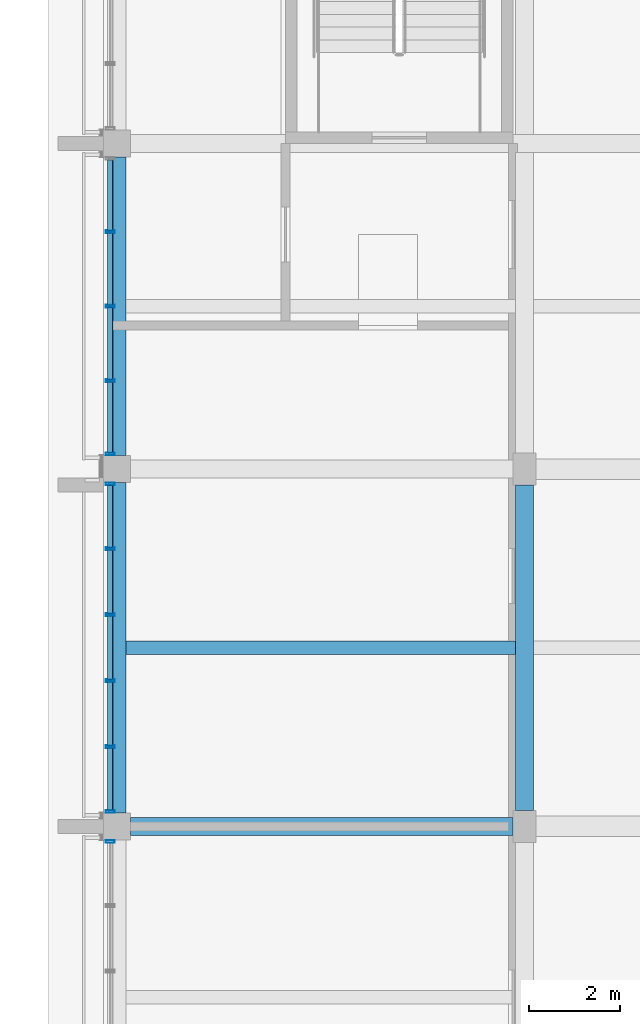
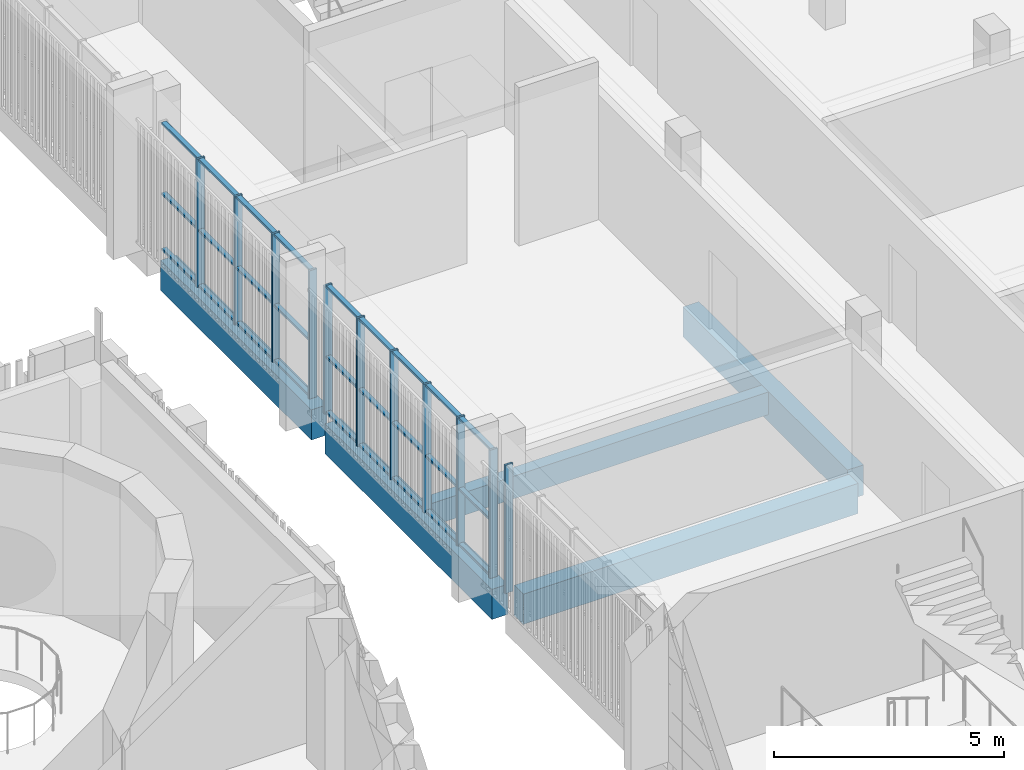
# One storey, part 21 of 92: 38 members, 5 beams, 3 elements without a shape of their own.
"""IFC4 building model written with IfcOpenShell, lengths in metres."""

from ifc_helpers import new_model, si_unit, direction, frame, origin, origin_2d, place, context, subcontext, project, spatial, rectangle, hollow_rectangle, extrude, material, material_profile, profile_set, type_object, element, aggregate, save


model = new_model("IFC4")

# Units and contexts
model_context = context("Model", 3, precision=1e-05, world=origin(), true_north=direction((0.0, 1.0)))
body_context = subcontext(model_context, "Body", "Model", "MODEL_VIEW")
ifc_project = project(units=[si_unit("LENGTHUNIT", "METRE"), si_unit("AREAUNIT", "SQUARE_METRE"), si_unit("VOLUMEUNIT", "CUBIC_METRE"), si_unit("PLANEANGLEUNIT", "RADIAN"), si_unit("MASSUNIT", "GRAM", prefix="KILO")], contexts=[model_context])

# Site, building, storey
site_placement = place(None, origin())
site = spatial("IfcSite", under=ifc_project, at=site_placement, CompositionType="ELEMENT")
building_placement = place(site_placement, origin())
building = spatial("IfcBuilding", under=site, at=building_placement, Name="Sun Court Science Centre", CompositionType="ELEMENT")
storey_placement = place(building_placement, frame((0.0, 0.0, 11.25)))
storey = spatial("IfcBuildingStorey", under=building, at=storey_placement, Name="L02", CompositionType="ELEMENT", Elevation=11.25)

# Curtain wall, member
ifc_material_1 = material(Name="Aluminium EN AW-6063 T6", Category="aluminium")
curtain_wall_type = type_object("IfcCurtainWallType", Name="Laboratory tall bay curtain wall 1500", PredefinedType="NOTDEFINED", material=ifc_material_1)
curtain_wall_1_placement = place(storey_placement, origin())
curtain_wall_1 = element("IfcCurtainWall", 1, at=curtain_wall_1_placement, inside=storey, type_object=curtain_wall_type, Name="Curtain wall V4 W L02 01", PredefinedType="NOTDEFINED")
ifc_material_2 = material(Name="Aluminium EN AW-6063 T6", Category="aluminium")
ifc_material_profile_1 = material_profile(ifc_material_2, hollow_rectangle(XDim=0.06005859375, YDim=0.199951171875, WallThickness=0.0048828125, InnerFilletRadius=0.0048828125, OuterFilletRadius=0.007568359375, at=origin_2d()), Name="AL 60x200x5")
ifc_profile_set_1 = profile_set([ifc_material_profile_1], Name="Aluminium EN AW-6063 T6")
member_type_1 = type_object("IfcMemberType", Name="Curtain wall mullion AL 60x200", PredefinedType="MULLION", material=ifc_profile_set_1)
member_1_placement = place(storey_placement, frame((78.14990234375, 20.669921875, 0.0), z_axis=(0.0, 0.0, 1.0), x_axis=(0.0, 1.0, 0.0)))
member_1 = element("IfcMember", 2, at=member_1_placement, type_object=member_type_1, Name="CW2-19 mullion 6", PredefinedType="MULLION", context=body_context, shape_type="SweptSolid", body=[
    extrude(hollow_rectangle(XDim=0.06005859375, YDim=0.199951171875, WallThickness=0.0048828125, InnerFilletRadius=0.0048828125, OuterFilletRadius=0.007568359375, at=origin_2d()), origin(), (0.0, 0.0, 1.0), 3.39990234375),
])
aggregate(curtain_wall_1, [member_1])

# Curtain wall, members
curtain_wall_2_placement = place(storey_placement, origin())
curtain_wall_2 = element("IfcCurtainWall", 3, at=curtain_wall_2_placement, inside=storey, type_object=curtain_wall_type, Name="Curtain wall V4 W L02 02", PredefinedType="NOTDEFINED")
member_2_placement = place(storey_placement, frame((78.14990234375, 21.330078125, 0.0), z_axis=(0.0, 0.0, 1.0), x_axis=(0.0, 1.0, 0.0)))
member_2 = element("IfcMember", 4, at=member_2_placement, type_object=member_type_1, Name="CW2-20 mullion 1", PredefinedType="MULLION", context=body_context, shape_type="SweptSolid", body=[
    extrude(hollow_rectangle(XDim=0.06005859375, YDim=0.199951171875, WallThickness=0.0048828125, InnerFilletRadius=0.0048828125, OuterFilletRadius=0.007568359375, at=origin_2d()), origin(), (0.0, 0.0, 1.0), 3.39990234375),
])
member_3_placement = place(storey_placement, frame((78.14990234375, 22.75, 0.0), z_axis=(0.0, 0.0, 1.0), x_axis=(0.0, 1.0, 0.0)))
member_3 = element("IfcMember", 5, at=member_3_placement, type_object=member_type_1, Name="CW2-20 mullion 2", PredefinedType="MULLION", context=body_context, shape_type="SweptSolid", body=[
    extrude(hollow_rectangle(XDim=0.06005859375, YDim=0.199951171875, WallThickness=0.0048828125, InnerFilletRadius=0.0048828125, OuterFilletRadius=0.007568359375, at=origin_2d()), origin(), (0.0, 0.0, 1.0), 3.39990234375),
])
member_4_placement = place(storey_placement, frame((78.14990234375, 24.199951171875, 0.0), z_axis=(0.0, 0.0, 1.0), x_axis=(0.0, 1.0, 0.0)))
member_4 = element("IfcMember", 6, at=member_4_placement, type_object=member_type_1, Name="CW2-20 mullion 3", PredefinedType="MULLION", context=body_context, shape_type="SweptSolid", body=[
    extrude(hollow_rectangle(XDim=0.06005859375, YDim=0.199951171875, WallThickness=0.0048828125, InnerFilletRadius=0.0048828125, OuterFilletRadius=0.007568359375, at=origin_2d()), origin(), (0.0, 0.0, 1.0), 3.39990234375),
])
member_5_placement = place(storey_placement, frame((78.14990234375, 25.64990234375, 0.0), z_axis=(0.0, 0.0, 1.0), x_axis=(0.0, 1.0, 0.0)))
member_5 = element("IfcMember", 7, at=member_5_placement, type_object=member_type_1, Name="CW2-20 mullion 4", PredefinedType="MULLION", context=body_context, shape_type="SweptSolid", body=[
    extrude(hollow_rectangle(XDim=0.06005859375, YDim=0.199951171875, WallThickness=0.0048828125, InnerFilletRadius=0.0048828125, OuterFilletRadius=0.007568359375, at=origin_2d()), origin(), (0.0, 0.0, 1.0), 3.39990234375),
])
member_6_placement = place(storey_placement, frame((78.14990234375, 27.10009765625, 0.0), z_axis=(0.0, 0.0, 1.0), x_axis=(0.0, 1.0, 0.0)))
member_6 = element("IfcMember", 8, at=member_6_placement, type_object=member_type_1, Name="CW2-20 mullion 5", PredefinedType="MULLION", context=body_context, shape_type="SweptSolid", body=[
    extrude(hollow_rectangle(XDim=0.06005859375, YDim=0.199951171875, WallThickness=0.0048828125, InnerFilletRadius=0.0048828125, OuterFilletRadius=0.007568359375, at=origin_2d()), origin(), (0.0, 0.0, 1.0), 3.39990234375),
])
member_7_placement = place(storey_placement, frame((78.14990234375, 28.52001953125, 0.0), z_axis=(0.0, 0.0, 1.0), x_axis=(0.0, 1.0, 0.0)))
member_7 = element("IfcMember", 9, at=member_7_placement, type_object=member_type_1, Name="CW2-20 mullion 6", PredefinedType="MULLION", context=body_context, shape_type="SweptSolid", body=[
    extrude(hollow_rectangle(XDim=0.06005859375, YDim=0.199951171875, WallThickness=0.0048828125, InnerFilletRadius=0.0048828125, OuterFilletRadius=0.007568359375, at=origin_2d()), origin(), (0.0, 0.0, 1.0), 3.39990234375),
])

curtain_wall_3_placement = place(storey_placement, origin())
curtain_wall_3 = element("IfcCurtainWall", 10, at=curtain_wall_3_placement, inside=storey, type_object=curtain_wall_type, Name="Curtain wall V4 W L02 03", PredefinedType="NOTDEFINED")
member_8_placement = place(storey_placement, frame((78.14990234375, 29.179931640625, 0.0), z_axis=(0.0, 0.0, 1.0), x_axis=(0.0, 1.0, 0.0)))
member_8 = element("IfcMember", 11, at=member_8_placement, type_object=member_type_1, Name="CW2-21 mullion 1", PredefinedType="MULLION", context=body_context, shape_type="SweptSolid", body=[
    extrude(hollow_rectangle(XDim=0.06005859375, YDim=0.199951171875, WallThickness=0.0048828125, InnerFilletRadius=0.0048828125, OuterFilletRadius=0.007568359375, at=origin_2d()), origin(), (0.0, 0.0, 1.0), 3.39990234375),
])
member_9_placement = place(storey_placement, frame((78.14990234375, 30.78759765625, 0.0), z_axis=(0.0, 0.0, 1.0), x_axis=(0.0, 1.0, 0.0)))
member_9 = element("IfcMember", 12, at=member_9_placement, type_object=member_type_1, Name="CW2-21 mullion 2", PredefinedType="MULLION", context=body_context, shape_type="SweptSolid", body=[
    extrude(hollow_rectangle(XDim=0.06005859375, YDim=0.199951171875, WallThickness=0.0048828125, InnerFilletRadius=0.0048828125, OuterFilletRadius=0.007568359375, at=origin_2d()), origin(), (0.0, 0.0, 1.0), 3.39990234375),
])
member_10_placement = place(storey_placement, frame((78.14990234375, 32.425048828125, 0.0), z_axis=(0.0, 0.0, 1.0), x_axis=(0.0, 1.0, 0.0)))
member_10 = element("IfcMember", 13, at=member_10_placement, type_object=member_type_1, Name="CW2-21 mullion 3", PredefinedType="MULLION", context=body_context, shape_type="SweptSolid", body=[
    extrude(hollow_rectangle(XDim=0.06005859375, YDim=0.199951171875, WallThickness=0.0048828125, InnerFilletRadius=0.0048828125, OuterFilletRadius=0.007568359375, at=origin_2d()), origin(), (0.0, 0.0, 1.0), 3.39990234375),
])
member_11_placement = place(storey_placement, frame((78.14990234375, 34.0625, 0.0), z_axis=(0.0, 0.0, 1.0), x_axis=(0.0, 1.0, 0.0)))
member_11 = element("IfcMember", 14, at=member_11_placement, type_object=member_type_1, Name="CW2-21 mullion 4", PredefinedType="MULLION", context=body_context, shape_type="SweptSolid", body=[
    extrude(hollow_rectangle(XDim=0.06005859375, YDim=0.199951171875, WallThickness=0.0048828125, InnerFilletRadius=0.0048828125, OuterFilletRadius=0.007568359375, at=origin_2d()), origin(), (0.0, 0.0, 1.0), 3.39990234375),
])

# Member
ifc_material_3 = material(Name="Aluminium EN AW-6063 T6", Category="aluminium")
ifc_material_profile_2 = material_profile(ifc_material_3, hollow_rectangle(XDim=0.06005859375, YDim=0.1201171875, WallThickness=0.00390625, InnerFilletRadius=0.00390625, OuterFilletRadius=0.006103515625, at=origin_2d()), Name="AL 60x120x4")
ifc_profile_set_2 = profile_set([ifc_material_profile_2], Name="Aluminium EN AW-6063 T6")
member_type_2 = type_object("IfcMemberType", Name="Curtain wall transom AL 60x120", PredefinedType="USERDEFINED", material=ifc_profile_set_2)
member_12_placement = place(storey_placement, frame((78.14990234375, 21.360107421875, 0.030029296875), z_axis=(0.0, 1.0, 0.0), x_axis=(0.0, 0.0, 1.0)))
member_12 = element("IfcMember", 15, at=member_12_placement, type_object=member_type_2, Name="CW2-20 transom 1.1", ObjectType="TRANSOM", PredefinedType="USERDEFINED", context=body_context, shape_type="SweptSolid", body=[
    extrude(hollow_rectangle(XDim=0.06005859375, YDim=0.1201171875, WallThickness=0.00390625, InnerFilletRadius=0.00390625, OuterFilletRadius=0.006103515625, at=origin_2d()), origin(), (0.0, 0.0, 1.0), 1.35986328125),
])

member_13_placement = place(storey_placement, frame((78.14990234375, 22.780029296875, 0.030029296875), z_axis=(0.0, 1.0, 0.0), x_axis=(0.0, 0.0, 1.0)))
member_13 = element("IfcMember", 16, at=member_13_placement, type_object=member_type_2, Name="CW2-20 transom 2.1", ObjectType="TRANSOM", PredefinedType="USERDEFINED", context=body_context, shape_type="SweptSolid", body=[
    extrude(hollow_rectangle(XDim=0.06005859375, YDim=0.1201171875, WallThickness=0.00390625, InnerFilletRadius=0.00390625, OuterFilletRadius=0.006103515625, at=origin_2d()), origin(), (0.0, 0.0, 1.0), 1.389892578125),
])

member_14_placement = place(storey_placement, frame((78.14990234375, 24.22998046875, 0.030029296875), z_axis=(0.0, 1.0, 0.0), x_axis=(0.0, 0.0, 1.0)))
member_14 = element("IfcMember", 17, at=member_14_placement, type_object=member_type_2, Name="CW2-20 transom 3.1", ObjectType="TRANSOM", PredefinedType="USERDEFINED", context=body_context, shape_type="SweptSolid", body=[
    extrude(hollow_rectangle(XDim=0.06005859375, YDim=0.1201171875, WallThickness=0.00390625, InnerFilletRadius=0.00390625, OuterFilletRadius=0.006103515625, at=origin_2d()), origin(), (0.0, 0.0, 1.0), 1.39013671875),
])

member_15_placement = place(storey_placement, frame((78.14990234375, 25.679931640625, 0.030029296875), z_axis=(0.0, 1.0, 0.0), x_axis=(0.0, 0.0, 1.0)))
member_15 = element("IfcMember", 18, at=member_15_placement, type_object=member_type_2, Name="CW2-20 transom 4.1", ObjectType="TRANSOM", PredefinedType="USERDEFINED", context=body_context, shape_type="SweptSolid", body=[
    extrude(hollow_rectangle(XDim=0.06005859375, YDim=0.1201171875, WallThickness=0.00390625, InnerFilletRadius=0.00390625, OuterFilletRadius=0.006103515625, at=origin_2d()), origin(), (0.0, 0.0, 1.0), 1.39013671875),
])

member_16_placement = place(storey_placement, frame((78.14990234375, 27.1298828125, 0.030029296875), z_axis=(0.0, 1.0, 0.0), x_axis=(0.0, 0.0, 1.0)))
member_16 = element("IfcMember", 19, at=member_16_placement, type_object=member_type_2, Name="CW2-20 transom 5.1", ObjectType="TRANSOM", PredefinedType="USERDEFINED", context=body_context, shape_type="SweptSolid", body=[
    extrude(hollow_rectangle(XDim=0.06005859375, YDim=0.1201171875, WallThickness=0.00390625, InnerFilletRadius=0.00390625, OuterFilletRadius=0.006103515625, at=origin_2d()), origin(), (0.0, 0.0, 1.0), 1.360107421875),
])

member_17_placement = place(storey_placement, frame((78.14990234375, 21.360107421875, 1.5), z_axis=(0.0, 1.0, 0.0), x_axis=(0.0, 0.0, 1.0)))
member_17 = element("IfcMember", 20, at=member_17_placement, type_object=member_type_2, Name="CW2-20 transom 1.2", ObjectType="TRANSOM", PredefinedType="USERDEFINED", context=body_context, shape_type="SweptSolid", body=[
    extrude(hollow_rectangle(XDim=0.06005859375, YDim=0.1201171875, WallThickness=0.00390625, InnerFilletRadius=0.00390625, OuterFilletRadius=0.006103515625, at=origin_2d()), origin(), (0.0, 0.0, 1.0), 1.35986328125),
])

member_18_placement = place(storey_placement, frame((78.14990234375, 22.780029296875, 1.5), z_axis=(0.0, 1.0, 0.0), x_axis=(0.0, 0.0, 1.0)))
member_18 = element("IfcMember", 21, at=member_18_placement, type_object=member_type_2, Name="CW2-20 transom 2.2", ObjectType="TRANSOM", PredefinedType="USERDEFINED", context=body_context, shape_type="SweptSolid", body=[
    extrude(hollow_rectangle(XDim=0.06005859375, YDim=0.1201171875, WallThickness=0.00390625, InnerFilletRadius=0.00390625, OuterFilletRadius=0.006103515625, at=origin_2d()), origin(), (0.0, 0.0, 1.0), 1.389892578125),
])

member_19_placement = place(storey_placement, frame((78.14990234375, 24.22998046875, 1.5), z_axis=(0.0, 1.0, 0.0), x_axis=(0.0, 0.0, 1.0)))
member_19 = element("IfcMember", 22, at=member_19_placement, type_object=member_type_2, Name="CW2-20 transom 3.2", ObjectType="TRANSOM", PredefinedType="USERDEFINED", context=body_context, shape_type="SweptSolid", body=[
    extrude(hollow_rectangle(XDim=0.06005859375, YDim=0.1201171875, WallThickness=0.00390625, InnerFilletRadius=0.00390625, OuterFilletRadius=0.006103515625, at=origin_2d()), origin(), (0.0, 0.0, 1.0), 1.39013671875),
])

member_20_placement = place(storey_placement, frame((78.14990234375, 25.679931640625, 1.5), z_axis=(0.0, 1.0, 0.0), x_axis=(0.0, 0.0, 1.0)))
member_20 = element("IfcMember", 23, at=member_20_placement, type_object=member_type_2, Name="CW2-20 transom 4.2", ObjectType="TRANSOM", PredefinedType="USERDEFINED", context=body_context, shape_type="SweptSolid", body=[
    extrude(hollow_rectangle(XDim=0.06005859375, YDim=0.1201171875, WallThickness=0.00390625, InnerFilletRadius=0.00390625, OuterFilletRadius=0.006103515625, at=origin_2d()), origin(), (0.0, 0.0, 1.0), 1.39013671875),
])

member_21_placement = place(storey_placement, frame((78.14990234375, 27.1298828125, 1.5), z_axis=(0.0, 1.0, 0.0), x_axis=(0.0, 0.0, 1.0)))
member_21 = element("IfcMember", 24, at=member_21_placement, type_object=member_type_2, Name="CW2-20 transom 5.2", ObjectType="TRANSOM", PredefinedType="USERDEFINED", context=body_context, shape_type="SweptSolid", body=[
    extrude(hollow_rectangle(XDim=0.06005859375, YDim=0.1201171875, WallThickness=0.00390625, InnerFilletRadius=0.00390625, OuterFilletRadius=0.006103515625, at=origin_2d()), origin(), (0.0, 0.0, 1.0), 1.360107421875),
])

member_22_placement = place(storey_placement, frame((78.14990234375, 21.360107421875, 3.3701171875), z_axis=(0.0, 1.0, 0.0), x_axis=(0.0, 0.0, 1.0)))
member_22 = element("IfcMember", 25, at=member_22_placement, type_object=member_type_2, Name="CW2-20 transom 1.3", ObjectType="TRANSOM", PredefinedType="USERDEFINED", context=body_context, shape_type="SweptSolid", body=[
    extrude(hollow_rectangle(XDim=0.06005859375, YDim=0.1201171875, WallThickness=0.00390625, InnerFilletRadius=0.00390625, OuterFilletRadius=0.006103515625, at=origin_2d()), origin(), (0.0, 0.0, 1.0), 1.35986328125),
])

member_23_placement = place(storey_placement, frame((78.14990234375, 22.780029296875, 3.3701171875), z_axis=(0.0, 1.0, 0.0), x_axis=(0.0, 0.0, 1.0)))
member_23 = element("IfcMember", 26, at=member_23_placement, type_object=member_type_2, Name="CW2-20 transom 2.3", ObjectType="TRANSOM", PredefinedType="USERDEFINED", context=body_context, shape_type="SweptSolid", body=[
    extrude(hollow_rectangle(XDim=0.06005859375, YDim=0.1201171875, WallThickness=0.00390625, InnerFilletRadius=0.00390625, OuterFilletRadius=0.006103515625, at=origin_2d()), origin(), (0.0, 0.0, 1.0), 1.389892578125),
])

member_24_placement = place(storey_placement, frame((78.14990234375, 24.22998046875, 3.3701171875), z_axis=(0.0, 1.0, 0.0), x_axis=(0.0, 0.0, 1.0)))
member_24 = element("IfcMember", 27, at=member_24_placement, type_object=member_type_2, Name="CW2-20 transom 3.3", ObjectType="TRANSOM", PredefinedType="USERDEFINED", context=body_context, shape_type="SweptSolid", body=[
    extrude(hollow_rectangle(XDim=0.06005859375, YDim=0.1201171875, WallThickness=0.00390625, InnerFilletRadius=0.00390625, OuterFilletRadius=0.006103515625, at=origin_2d()), origin(), (0.0, 0.0, 1.0), 1.39013671875),
])

member_25_placement = place(storey_placement, frame((78.14990234375, 25.679931640625, 3.3701171875), z_axis=(0.0, 1.0, 0.0), x_axis=(0.0, 0.0, 1.0)))
member_25 = element("IfcMember", 28, at=member_25_placement, type_object=member_type_2, Name="CW2-20 transom 4.3", ObjectType="TRANSOM", PredefinedType="USERDEFINED", context=body_context, shape_type="SweptSolid", body=[
    extrude(hollow_rectangle(XDim=0.06005859375, YDim=0.1201171875, WallThickness=0.00390625, InnerFilletRadius=0.00390625, OuterFilletRadius=0.006103515625, at=origin_2d()), origin(), (0.0, 0.0, 1.0), 1.39013671875),
])

member_26_placement = place(storey_placement, frame((78.14990234375, 27.1298828125, 3.3701171875), z_axis=(0.0, 1.0, 0.0), x_axis=(0.0, 0.0, 1.0)))
member_26 = element("IfcMember", 29, at=member_26_placement, type_object=member_type_2, Name="CW2-20 transom 5.3", ObjectType="TRANSOM", PredefinedType="USERDEFINED", context=body_context, shape_type="SweptSolid", body=[
    extrude(hollow_rectangle(XDim=0.06005859375, YDim=0.1201171875, WallThickness=0.00390625, InnerFilletRadius=0.00390625, OuterFilletRadius=0.006103515625, at=origin_2d()), origin(), (0.0, 0.0, 1.0), 1.360107421875),
])

aggregate(curtain_wall_2, [member_2, member_3, member_4, member_5, member_6, member_7, member_12, member_13, member_14, member_15, member_16, member_17, member_18, member_19, member_20, member_21, member_22, member_23, member_24, member_25, member_26])

member_27_placement = place(storey_placement, frame((78.14990234375, 29.2099609375, 0.030029296875), z_axis=(0.0, 1.0, 0.0), x_axis=(0.0, 0.0, 1.0)))
member_27 = element("IfcMember", 30, at=member_27_placement, type_object=member_type_2, Name="CW2-21 transom 1.1", ObjectType="TRANSOM", PredefinedType="USERDEFINED", context=body_context, shape_type="SweptSolid", body=[
    extrude(hollow_rectangle(XDim=0.06005859375, YDim=0.1201171875, WallThickness=0.00390625, InnerFilletRadius=0.00390625, OuterFilletRadius=0.006103515625, at=origin_2d()), origin(), (0.0, 0.0, 1.0), 1.547607421875),
])

member_28_placement = place(storey_placement, frame((78.14990234375, 30.8173828125, 0.030029296875), z_axis=(0.0, 1.0, 0.0), x_axis=(0.0, 0.0, 1.0)))
member_28 = element("IfcMember", 31, at=member_28_placement, type_object=member_type_2, Name="CW2-21 transom 2.1", ObjectType="TRANSOM", PredefinedType="USERDEFINED", context=body_context, shape_type="SweptSolid", body=[
    extrude(hollow_rectangle(XDim=0.06005859375, YDim=0.1201171875, WallThickness=0.00390625, InnerFilletRadius=0.00390625, OuterFilletRadius=0.006103515625, at=origin_2d()), origin(), (0.0, 0.0, 1.0), 1.57763671875),
])

member_29_placement = place(storey_placement, frame((78.14990234375, 32.455078125, 0.030029296875), z_axis=(0.0, 1.0, 0.0), x_axis=(0.0, 0.0, 1.0)))
member_29 = element("IfcMember", 32, at=member_29_placement, type_object=member_type_2, Name="CW2-21 transom 3.1", ObjectType="TRANSOM", PredefinedType="USERDEFINED", context=body_context, shape_type="SweptSolid", body=[
    extrude(hollow_rectangle(XDim=0.06005859375, YDim=0.1201171875, WallThickness=0.00390625, InnerFilletRadius=0.00390625, OuterFilletRadius=0.006103515625, at=origin_2d()), origin(), (0.0, 0.0, 1.0), 1.577392578125),
])

member_30_placement = place(storey_placement, frame((78.14990234375, 34.092529296875, 0.030029296875), z_axis=(0.0, 1.0, 0.0), x_axis=(0.0, 0.0, 1.0)))
member_30 = element("IfcMember", 33, at=member_30_placement, type_object=member_type_2, Name="CW2-21 transom 4.1", ObjectType="TRANSOM", PredefinedType="USERDEFINED", context=body_context, shape_type="SweptSolid", body=[
    extrude(hollow_rectangle(XDim=0.06005859375, YDim=0.1201171875, WallThickness=0.00390625, InnerFilletRadius=0.00390625, OuterFilletRadius=0.006103515625, at=origin_2d()), origin(), (0.0, 0.0, 1.0), 1.54736328125),
])

member_31_placement = place(storey_placement, frame((78.14990234375, 29.2099609375, 1.5), z_axis=(0.0, 1.0, 0.0), x_axis=(0.0, 0.0, 1.0)))
member_31 = element("IfcMember", 34, at=member_31_placement, type_object=member_type_2, Name="CW2-21 transom 1.2", ObjectType="TRANSOM", PredefinedType="USERDEFINED", context=body_context, shape_type="SweptSolid", body=[
    extrude(hollow_rectangle(XDim=0.06005859375, YDim=0.1201171875, WallThickness=0.00390625, InnerFilletRadius=0.00390625, OuterFilletRadius=0.006103515625, at=origin_2d()), origin(), (0.0, 0.0, 1.0), 1.547607421875),
])

member_32_placement = place(storey_placement, frame((78.14990234375, 30.8173828125, 1.5), z_axis=(0.0, 1.0, 0.0), x_axis=(0.0, 0.0, 1.0)))
member_32 = element("IfcMember", 35, at=member_32_placement, type_object=member_type_2, Name="CW2-21 transom 2.2", ObjectType="TRANSOM", PredefinedType="USERDEFINED", context=body_context, shape_type="SweptSolid", body=[
    extrude(hollow_rectangle(XDim=0.06005859375, YDim=0.1201171875, WallThickness=0.00390625, InnerFilletRadius=0.00390625, OuterFilletRadius=0.006103515625, at=origin_2d()), origin(), (0.0, 0.0, 1.0), 1.57763671875),
])

member_33_placement = place(storey_placement, frame((78.14990234375, 32.455078125, 1.5), z_axis=(0.0, 1.0, 0.0), x_axis=(0.0, 0.0, 1.0)))
member_33 = element("IfcMember", 36, at=member_33_placement, type_object=member_type_2, Name="CW2-21 transom 3.2", ObjectType="TRANSOM", PredefinedType="USERDEFINED", context=body_context, shape_type="SweptSolid", body=[
    extrude(hollow_rectangle(XDim=0.06005859375, YDim=0.1201171875, WallThickness=0.00390625, InnerFilletRadius=0.00390625, OuterFilletRadius=0.006103515625, at=origin_2d()), origin(), (0.0, 0.0, 1.0), 1.577392578125),
])

member_34_placement = place(storey_placement, frame((78.14990234375, 34.092529296875, 1.5), z_axis=(0.0, 1.0, 0.0), x_axis=(0.0, 0.0, 1.0)))
member_34 = element("IfcMember", 37, at=member_34_placement, type_object=member_type_2, Name="CW2-21 transom 4.2", ObjectType="TRANSOM", PredefinedType="USERDEFINED", context=body_context, shape_type="SweptSolid", body=[
    extrude(hollow_rectangle(XDim=0.06005859375, YDim=0.1201171875, WallThickness=0.00390625, InnerFilletRadius=0.00390625, OuterFilletRadius=0.006103515625, at=origin_2d()), origin(), (0.0, 0.0, 1.0), 1.54736328125),
])

member_35_placement = place(storey_placement, frame((78.14990234375, 29.2099609375, 3.3701171875), z_axis=(0.0, 1.0, 0.0), x_axis=(0.0, 0.0, 1.0)))
member_35 = element("IfcMember", 38, at=member_35_placement, type_object=member_type_2, Name="CW2-21 transom 1.3", ObjectType="TRANSOM", PredefinedType="USERDEFINED", context=body_context, shape_type="SweptSolid", body=[
    extrude(hollow_rectangle(XDim=0.06005859375, YDim=0.1201171875, WallThickness=0.00390625, InnerFilletRadius=0.00390625, OuterFilletRadius=0.006103515625, at=origin_2d()), origin(), (0.0, 0.0, 1.0), 1.547607421875),
])

member_36_placement = place(storey_placement, frame((78.14990234375, 30.8173828125, 3.3701171875), z_axis=(0.0, 1.0, 0.0), x_axis=(0.0, 0.0, 1.0)))
member_36 = element("IfcMember", 39, at=member_36_placement, type_object=member_type_2, Name="CW2-21 transom 2.3", ObjectType="TRANSOM", PredefinedType="USERDEFINED", context=body_context, shape_type="SweptSolid", body=[
    extrude(hollow_rectangle(XDim=0.06005859375, YDim=0.1201171875, WallThickness=0.00390625, InnerFilletRadius=0.00390625, OuterFilletRadius=0.006103515625, at=origin_2d()), origin(), (0.0, 0.0, 1.0), 1.57763671875),
])

member_37_placement = place(storey_placement, frame((78.14990234375, 32.455078125, 3.3701171875), z_axis=(0.0, 1.0, 0.0), x_axis=(0.0, 0.0, 1.0)))
member_37 = element("IfcMember", 40, at=member_37_placement, type_object=member_type_2, Name="CW2-21 transom 3.3", ObjectType="TRANSOM", PredefinedType="USERDEFINED", context=body_context, shape_type="SweptSolid", body=[
    extrude(hollow_rectangle(XDim=0.06005859375, YDim=0.1201171875, WallThickness=0.00390625, InnerFilletRadius=0.00390625, OuterFilletRadius=0.006103515625, at=origin_2d()), origin(), (0.0, 0.0, 1.0), 1.577392578125),
])

member_38_placement = place(storey_placement, frame((78.14990234375, 34.092529296875, 3.3701171875), z_axis=(0.0, 1.0, 0.0), x_axis=(0.0, 0.0, 1.0)))
member_38 = element("IfcMember", 41, at=member_38_placement, type_object=member_type_2, Name="CW2-21 transom 4.3", ObjectType="TRANSOM", PredefinedType="USERDEFINED", context=body_context, shape_type="SweptSolid", body=[
    extrude(hollow_rectangle(XDim=0.06005859375, YDim=0.1201171875, WallThickness=0.00390625, InnerFilletRadius=0.00390625, OuterFilletRadius=0.006103515625, at=origin_2d()), origin(), (0.0, 0.0, 1.0), 1.54736328125),
])

aggregate(curtain_wall_3, [member_8, member_9, member_10, member_11, member_27, member_28, member_29, member_30, member_31, member_32, member_33, member_34, member_35, member_36, member_37, member_38])

# Beams
ifc_material_4 = material(Name="Concrete C25/30", Category="concrete")
ifc_material_profile_3 = material_profile(ifc_material_4, rectangle(XDim=0.39990234375, YDim=0.800048828125, at=origin_2d()), Name="RC 400x800")
ifc_profile_set_3 = profile_set([ifc_material_profile_3], Name="Concrete C25/30")
beam_type_1 = type_object("IfcBeamType", Name="RC girder 400x800", PredefinedType="BEAM", material=ifc_profile_set_3)
beam_1_placement = place(storey_placement, frame((78.60009765625, 21.0, -0.699951171875), z_axis=(1.0, 0.0, 0.0), x_axis=(0.0, 1.0, 0.0)))
element("IfcBeam", 42, at=beam_1_placement, inside=storey, type_object=beam_type_1, Name="Girder L02 row 3", PredefinedType="BEAM", context=body_context, shape_type="SweptSolid", body=[
    extrude(rectangle(XDim=0.39990234375, YDim=0.800048828125, at=origin_2d()), origin(), (0.0, 0.0, 1.0), 8.39990234375),
])
beam_2_placement = place(storey_placement, frame((78.300048828125, 21.300048828125, -0.699951171875), z_axis=(0.0, 1.0, 0.0), x_axis=(-1.0, 0.0, 0.0)))
element("IfcBeam", 43, at=beam_2_placement, inside=storey, type_object=beam_type_1, Name="Girder L02 line 1", PredefinedType="BEAM", context=body_context, shape_type="SweptSolid", body=[
    extrude(rectangle(XDim=0.39990234375, YDim=0.800048828125, at=origin_2d()), origin(), (0.0, 0.0, 1.0), 7.25),
])
beam_3_placement = place(storey_placement, frame((78.300048828125, 29.14990234375, -0.699951171875), z_axis=(0.0, 1.0, 0.0), x_axis=(-1.0, 0.0, 0.0)))
element("IfcBeam", 44, at=beam_3_placement, inside=storey, type_object=beam_type_1, Name="Girder L02 line 1", PredefinedType="BEAM", context=body_context, shape_type="SweptSolid", body=[
    extrude(rectangle(XDim=0.39990234375, YDim=0.800048828125, at=origin_2d()), origin(), (0.0, 0.0, 1.0), 6.550048828125),
])
beam_4_placement = place(storey_placement, frame((87.25, 21.35009765625, -0.699951171875), z_axis=(0.0, 1.0, 0.0), x_axis=(-1.0, 0.0, 0.0)))
element("IfcBeam", 45, at=beam_4_placement, inside=storey, type_object=beam_type_1, Name="Girder L02 line 2", PredefinedType="BEAM", context=body_context, shape_type="SweptSolid", body=[
    extrude(rectangle(XDim=0.39990234375, YDim=0.800048828125, at=origin_2d()), origin(), (0.0, 0.0, 1.0), 7.14990234375),
])
ifc_material_5 = material(Name="Concrete C25/30", Category="concrete")
ifc_material_profile_4 = material_profile(ifc_material_5, rectangle(XDim=0.300048828125, YDim=0.60009765625, at=origin_2d()), Name="RC 300x600")
ifc_profile_set_4 = profile_set([ifc_material_profile_4], Name="Concrete C25/30")
beam_type_2 = type_object("IfcBeamType", Name="RC joist 300x600", PredefinedType="JOIST", material=ifc_profile_set_4)
beam_5_placement = place(storey_placement, frame((78.5, 24.925048828125, -0.60009765625), z_axis=(1.0, 0.0, 0.0), x_axis=(0.0, 1.0, 0.0)))
element("IfcBeam", 46, at=beam_5_placement, inside=storey, type_object=beam_type_2, Name="Joist L02", PredefinedType="JOIST", context=body_context, shape_type="SweptSolid", body=[
    extrude(rectangle(XDim=0.300048828125, YDim=0.60009765625, at=origin_2d()), origin(), (0.0, 0.0, 1.0), 8.550048828125),
])

save(model, "model.ifc")
